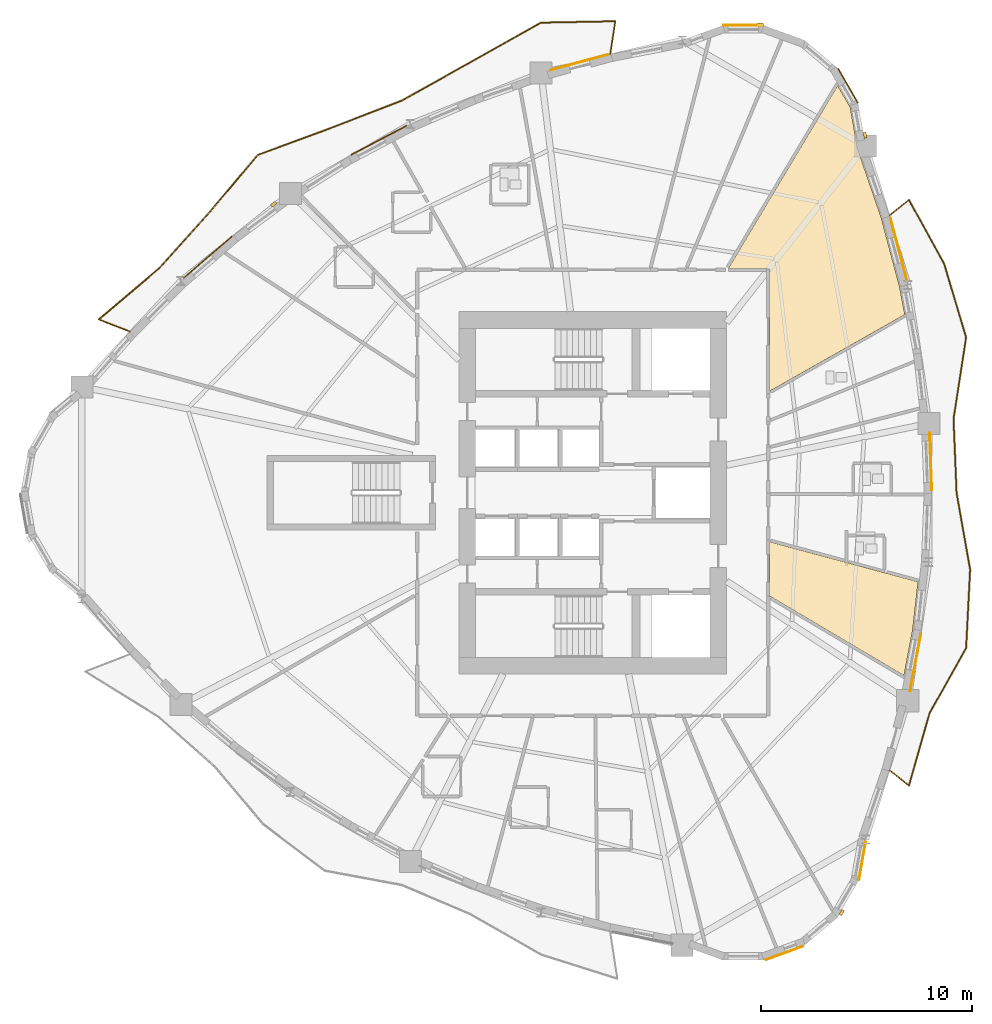
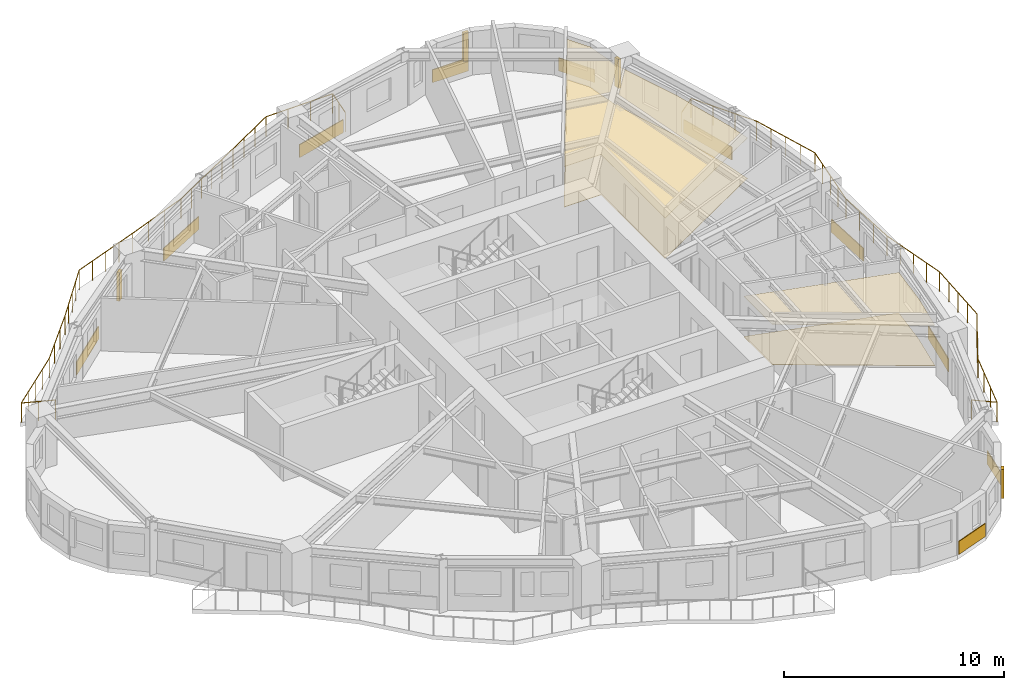
# One storey, part 12 of 13: 14 coverings, 4 shading devices, 2 railings.
"""IFC4 building model written with IfcOpenShell, lengths in metres."""

from ifc_helpers import new_model, si_unit, direction, frame, origin, origin_2d, place, context, subcontext, project, spatial, polyline, rectangle, circle, outline, extrude, source, transform, mapped, material, layer, layer_set, type_object, element, save


model = new_model("IFC4")

# Units and contexts
model_context = context("Model", 3, precision=1e-05, world=origin(), true_north=direction((0.0, 1.0)))
body_context = subcontext(model_context, "Body", "Model", "MODEL_VIEW")
ifc_project = project(units=[si_unit("LENGTHUNIT", "METRE"), si_unit("AREAUNIT", "SQUARE_METRE"), si_unit("VOLUMEUNIT", "CUBIC_METRE"), si_unit("PLANEANGLEUNIT", "RADIAN"), si_unit("MASSUNIT", "GRAM", prefix="KILO")], contexts=[model_context])

# Site, building, storey
site_placement = place(None, origin())
site = spatial("IfcSite", under=ifc_project, at=site_placement, CompositionType="ELEMENT")
building_placement = place(site_placement, origin())
building = spatial("IfcBuilding", under=site, at=building_placement, Name="Qafzar Sky-Pleat Residences", CompositionType="ELEMENT")
storey_placement = place(building_placement, frame((0.0, 0.0, 52.60009765625)))
storey = spatial("IfcBuildingStorey", under=building, at=storey_placement, Name="L15", CompositionType="ELEMENT", Elevation=52.60009765625)

# Coverings
ifc_material_1 = material(Name="Perforated acoustic gypsum board ceiling")
ifc_layer_1 = layer(ifc_material_1, 0.02001953125)
ifc_layer_set_1 = layer_set([ifc_layer_1], Name="Perforated acoustic gypsum board ceiling")
covering_type_1 = type_object("IfcCoveringType", Name="COV-CEIL-ACOUSTIC", PredefinedType="CEILING", material=ifc_layer_set_1)
covering_1_placement = place(storey_placement, frame((0.0, 0.0, 2.239990234375)))
element("IfcCovering", 1, at=covering_1_placement, inside=storey, type_object=covering_type_1, Name="L15 Communal Kitchen Acoustic Ceiling", PredefinedType="CEILING", context=body_context, shape_type="SweptSolid", body=[
    extrude(outline(polyline([(45.517578125, 19.485107421875), (45.10888671875, 17.3330078125), (38.739990234375, 21.10302734375), (38.739990234375, 23.67626953125), (45.779052734375, 21.77880859375), (45.517578125, 19.485107421875)])), origin(), (0.0, 0.0, 1.0), 0.02001953125),
])
covering_2_placement = place(storey_placement, frame((0.0, 0.0, 2.239990234375)))
element("IfcCovering", 2, at=covering_2_placement, inside=storey, type_object=covering_type_1, Name="L15 Co-Living Lounge Acoustic Ceiling", PredefinedType="CEILING", context=body_context, shape_type="SweptSolid", body=[
    extrude(outline(polyline([(42.55859375, 44.281982421875), (42.901611328125, 42.337158203125), (44.031494140625, 39.033447265625), (44.8984375, 35.7734375), (45.14990234375, 34.449951171875), (38.739990234375, 30.820068359375), (38.739990234375, 36.639892578125), (36.781982421875, 36.639892578125), (41.965576171875, 45.30908203125), (42.55859375, 44.281982421875)])), origin(), (0.0, 0.0, 1.0), 0.02001953125),
])
ifc_material_2 = material(Name="Honed porcelain and Riyadh stone tile flooring", Category="masonry")
ifc_layer_2 = layer(ifc_material_2, 0.02001953125)
ifc_layer_set_2 = layer_set([ifc_layer_2], Name="Honed porcelain and Riyadh stone tile flooring")
covering_type_2 = type_object("IfcCoveringType", Name="COV-FLR-PORCELAIN", PredefinedType="FLOORING", material=ifc_layer_set_2)
covering_3_placement = place(storey_placement, origin())
element("IfcCovering", 3, at=covering_3_placement, inside=storey, type_object=covering_type_2, Name="L15 Communal Kitchen Honed Stone Flooring", PredefinedType="FLOORING", context=body_context, shape_type="SweptSolid", body=[
    extrude(outline(polyline([(45.517578125, 19.485107421875), (45.10888671875, 17.3330078125), (38.739990234375, 21.10302734375), (38.739990234375, 23.67626953125), (45.779052734375, 21.77880859375), (45.517578125, 19.485107421875)])), origin(), (0.0, 0.0, 1.0), 0.02001953125),
])
covering_4_placement = place(storey_placement, origin())
element("IfcCovering", 4, at=covering_4_placement, inside=storey, type_object=covering_type_2, Name="L15 Co-Living Lounge Honed Stone Flooring", PredefinedType="FLOORING", context=body_context, shape_type="SweptSolid", body=[
    extrude(outline(polyline([(42.55859375, 44.281982421875), (42.901611328125, 42.337158203125), (44.031494140625, 39.033447265625), (44.8984375, 35.7734375), (45.14990234375, 34.449951171875), (38.739990234375, 30.820068359375), (38.739990234375, 36.639892578125), (36.781982421875, 36.639892578125), (41.965576171875, 45.30908203125), (42.55859375, 44.281982421875)])), origin(), (0.0, 0.0, 1.0), 0.02001953125),
])

# Shading devices
ifc_material_3 = material(Name="Honed Riyadh limestone solar fin", Category="masonry")
ifc_layer_3 = layer(ifc_material_3, 0.139892578125)
ifc_layer_set_3 = layer_set([ifc_layer_3], Name="Honed Riyadh limestone solar fin")
shading_device_type = type_object("IfcShadingDeviceType", Name="SHD-FIN-STONE", PredefinedType="SHUTTER", material=ifc_layer_set_3)
shared_shape_1 = source(origin(), body_context, "Body", "SweptSolid", [
    extrude(rectangle(XDim=0.139892578125, YDim=0.280029296875, at=origin_2d()), origin(), (0.0, 0.0, 1.0), 1.60009765625),
])
for number, where, z_axis, x_axis, name in (
    (5, (42.15576171875, 6.090576171875, 0.599853515625), (0.0, 0.0, 1.0), (0.86603181203, -0.499988900429, 0.0), "L15 Limestone Solar Fin 21"),
    (6, (43.264404296875, 42.956787109375, 0.599853515625), (0.0, 0.0, 1.0), (0.984806040716, 0.173657888303, 0.0), "L15 Limestone Solar Fin 33"),
    (7, (38.294921875, 48.214111328125, 0.599853515625), (0.0, 0.0, 1.0), (0.0, 1.0, 0.0), "L15 Limestone Solar Fin 37"),
    (8, (15.216064453125, 39.688232421875, 0.599853515625), (0.0, 0.0, 1.0), (-0.594881281603, 0.80381357341, 0.0), "L15 Limestone Solar Fin 45"),
):
    element("IfcShadingDevice", number, at=place(storey_placement, frame(where, z_axis=z_axis, x_axis=x_axis)), inside=storey, type_object=shading_device_type, Name=name, PredefinedType="SHUTTER", context=body_context, shape_type="MappedRepresentation", body=[
        mapped(shared_shape_1, transform((0.0, 0.0, 0.0), x_axis=(1.0, 0.0, 0.0), y_axis=(0.0, 1.0, 0.0), z_axis=(0.0, 0.0, 1.0), scale=1.0)),
    ])

# Coverings
ifc_material_4 = material(Name="Honed Riyadh Tuwaiq limestone cladding", Category="masonry")
ifc_layer_4 = layer(ifc_material_4, 0.044921875)
ifc_layer_set_4 = layer_set([ifc_layer_4], Name="Honed Riyadh Tuwaiq limestone cladding")
covering_type_3 = type_object("IfcCoveringType", Name="COV-CLAD-STONE", PredefinedType="CLADDING", material=ifc_layer_set_4)
shared_shape_2 = source(origin(), body_context, "Body", "SweptSolid", [
    extrude(rectangle(XDim=1.88134765625, YDim=0.044921875, at=origin_2d()), origin(), (0.0, 0.0, 1.0), 0.719970703125),
])
covering_5_placement = place(storey_placement, frame((37.489990234375, 48.1708984375, 0.02001953125), z_axis=(0.0, 0.0, 1.0), x_axis=(-1.0, 0.0, 0.0)))
element("IfcCovering", 9, at=covering_5_placement, inside=storey, type_object=covering_type_3, Name="L15 Riyadh Limestone Spandrel Cladding 37", PredefinedType="CLADDING", context=body_context, shape_type="MappedRepresentation", body=[
    mapped(shared_shape_2, transform((0.0, 0.0, 0.0), x_axis=(1.0, 0.0, 0.0), y_axis=(0.0, 1.0, 0.0), z_axis=(0.0, 0.0, 1.0), scale=1.0)),
])
shared_shape_3 = source(origin(), body_context, "Body", "SweptSolid", [
    extrude(rectangle(XDim=1.8291015625, YDim=0.044921875, at=origin_2d()), origin(), (0.0, 0.0, 1.0), 0.719970703125),
])
covering_6_placement = place(storey_placement, frame((43.1318359375, 8.53857421875, 0.02001953125), z_axis=(0.0, 0.0, 1.0), x_axis=(0.17364778674, 0.984807821943, 0.0)))
element("IfcCovering", 10, at=covering_6_placement, inside=storey, type_object=covering_type_3, Name="L15 Riyadh Limestone Spandrel Cladding 22", PredefinedType="CLADDING", context=body_context, shape_type="MappedRepresentation", body=[
    mapped(shared_shape_3, transform((0.0, 0.0, 0.0), x_axis=(1.0, 0.0, 0.0), y_axis=(0.0, 1.0, 0.0), z_axis=(0.0, 0.0, 1.0), scale=1.0)),
])
shared_shape_4 = source(origin(), body_context, "Body", "SweptSolid", [
    extrude(rectangle(XDim=1.881103515625, YDim=0.044921875, at=origin_2d()), origin(), (0.0, 0.0, 1.0), 0.719970703125),
])
for number, where, z_axis, x_axis, name in (
    (11, (39.451171875, 4.1748046875, 0.02001953125), (0.0, 0.0, 1.0), (0.939715179222, 0.34195815817, 0.0), "L15 Riyadh Limestone Spandrel Cladding 19"),
    (12, (42.455810546875, 45.30419921875, 0.02001953125), (0.0, 0.0, 1.0), (-0.499993018474, 0.866029434533, 0.0), "L15 Riyadh Limestone Spandrel Cladding 34"),
):
    element("IfcCovering", number, at=place(storey_placement, frame(where, z_axis=z_axis, x_axis=x_axis)), inside=storey, type_object=covering_type_3, Name=name, PredefinedType="CLADDING", context=body_context, shape_type="MappedRepresentation", body=[
        mapped(shared_shape_4, transform((0.0, 0.0, 0.0), x_axis=(1.0, 0.0, 0.0), y_axis=(0.0, 1.0, 0.0), z_axis=(0.0, 0.0, 1.0), scale=1.0)),
    ])

# Railings
ifc_material_5 = material(Name="Laminated glass and bronze steel balustrade", Category="steel")
railing_type = type_object("IfcRailingType", Name="RAIL-BAL-1100", PredefinedType="BALUSTRADE", material=ifc_material_5)
shared_shape_5 = source(origin(), body_context, "Body", "SweptSolid", [
    extrude(circle(Radius=0.02392578125, at=origin_2d()), frame((0.0, 0.0, 1.076171875), z_axis=(0.780444051674, -0.62522562504, 0.0), x_axis=(0.62522562504, 0.780444051674, 0.0)), (0.0, 0.0, 1.0), 1.177978515625),
    extrude(circle(Radius=0.02392578125, at=origin_2d()), frame((0.91943359375, -0.736572265625, 1.076171875), z_axis=(0.273711786975, 0.961811757919, 0.0), x_axis=(-0.961811757919, 0.273711786975, 0.0)), (0.0, 0.0, 1.0), 3.57861328125),
    extrude(circle(Radius=0.02392578125, at=origin_2d()), frame((1.89892578125, 2.705322265625, 1.076171875), z_axis=(0.489282926907, 0.872125115702, 0.0), x_axis=(-0.872125115702, 0.489282926907, 0.0)), (0.0, 0.0, 1.0), 3.543701171875),
    extrude(circle(Radius=0.02392578125, at=origin_2d()), frame((3.6328125, 5.7958984375, 1.076171875), z_axis=(0.051032139844, 0.998697011462, 0.0), x_axis=(-0.998697011462, 0.051032139844, 0.0)), (0.0, 0.0, 1.0), 3.726806640625),
    extrude(circle(Radius=0.02392578125, at=origin_2d()), frame((3.822998046875, 9.517822265625, 1.076171875), z_axis=(-0.174128247366, 0.984722983112, 0.0), x_axis=(-0.984722983112, -0.174128247366, 0.0)), (0.0, 0.0, 1.0), 3.69580078125),
    extrude(circle(Radius=0.02392578125, at=origin_2d()), frame((3.179443359375, 13.1572265625, 1.076171875), z_axis=(-0.041073628986, 0.999156122436, 0.0), x_axis=(-0.999156122436, -0.041073628986, 0.0)), (0.0, 0.0, 1.0), 3.5009765625),
    extrude(circle(Radius=0.02392578125, at=origin_2d()), frame((3.03564453125, 16.6552734375, 1.076171875), z_axis=(0.152761100583, 0.988263146206, 0.0), x_axis=(-0.988263146206, 0.152761100583, 0.0)), (0.0, 0.0, 1.0), 3.9091796875),
    extrude(circle(Radius=0.02392578125, at=origin_2d()), frame((3.6328125, 20.5185546875, 1.076171875), z_axis=(-0.285568374009, 0.95835833787, 0.0), x_axis=(-0.95835833787, -0.285568374009, 0.0)), (0.0, 0.0, 1.0), 3.638671875),
    extrude(circle(Radius=0.02392578125, at=origin_2d()), frame((2.59375, 24.005615234375, 1.076171875), z_axis=(-0.481773119733, 0.876295989436, 0.0), x_axis=(-0.876295989436, -0.481773119733, 0.0)), (0.0, 0.0, 1.0), 3.475341796875),
    extrude(circle(Radius=0.02392578125, at=origin_2d()), frame((0.91943359375, 27.051025390625, 1.076171875), z_axis=(-0.780444051674, -0.62522562504, 0.0), x_axis=(0.62522562504, -0.780444051674, 0.0)), (0.0, 0.0, 1.0), 1.177978515625),
    extrude(circle(Radius=0.02099609375, at=origin_2d()), origin(), (0.0, 0.0, 1.0), 1.052001953125),
    extrude(circle(Radius=0.02099609375, at=origin_2d()), frame((0.91943359375, -0.736572265625, 0.0)), (0.0, 0.0, 1.0), 1.052001953125),
    extrude(circle(Radius=0.02099609375, at=origin_2d()), frame((1.245849609375, 0.41064453125, 0.0)), (0.0, 0.0, 1.0), 1.052001953125),
    extrude(circle(Radius=0.02099609375, at=origin_2d()), frame((1.572509765625, 1.55810546875, 0.0)), (0.0, 0.0, 1.0), 1.052001953125),
    extrude(circle(Radius=0.02099609375, at=origin_2d()), frame((1.89892578125, 2.705322265625, 0.0)), (0.0, 0.0, 1.0), 1.052001953125),
    extrude(circle(Radius=0.02099609375, at=origin_2d()), frame((2.476806640625, 3.735595703125, 0.0)), (0.0, 0.0, 1.0), 1.052001953125),
    extrude(circle(Radius=0.02099609375, at=origin_2d()), frame((3.054931640625, 4.765625, 0.0)), (0.0, 0.0, 1.0), 1.052001953125),
    extrude(circle(Radius=0.02099609375, at=origin_2d()), frame((3.6328125, 5.7958984375, 0.0)), (0.0, 0.0, 1.0), 1.052001953125),
    extrude(circle(Radius=0.02099609375, at=origin_2d()), frame((3.680419921875, 6.726318359375, 0.0)), (0.0, 0.0, 1.0), 1.052001953125),
    extrude(circle(Radius=0.02099609375, at=origin_2d()), frame((3.72802734375, 7.65673828125, 0.0)), (0.0, 0.0, 1.0), 1.052001953125),
    extrude(circle(Radius=0.02099609375, at=origin_2d()), frame((3.775390625, 8.58740234375, 0.0)), (0.0, 0.0, 1.0), 1.052001953125),
    extrude(circle(Radius=0.02099609375, at=origin_2d()), frame((3.822998046875, 9.517822265625, 0.0)), (0.0, 0.0, 1.0), 1.052001953125),
    extrude(circle(Radius=0.02099609375, at=origin_2d()), frame((3.662109375, 10.427734375, 0.0)), (0.0, 0.0, 1.0), 1.052001953125),
    extrude(circle(Radius=0.02099609375, at=origin_2d()), frame((3.501220703125, 11.33740234375, 0.0)), (0.0, 0.0, 1.0), 1.052001953125),
    extrude(circle(Radius=0.02099609375, at=origin_2d()), frame((3.34033203125, 12.247314453125, 0.0)), (0.0, 0.0, 1.0), 1.052001953125),
    extrude(circle(Radius=0.02099609375, at=origin_2d()), frame((3.179443359375, 13.1572265625, 0.0)), (0.0, 0.0, 1.0), 1.052001953125),
    extrude(circle(Radius=0.02099609375, at=origin_2d()), frame((3.131591796875, 14.3232421875, 0.0)), (0.0, 0.0, 1.0), 1.052001953125),
    extrude(circle(Radius=0.02099609375, at=origin_2d()), frame((3.08349609375, 15.4892578125, 0.0)), (0.0, 0.0, 1.0), 1.052001953125),
    extrude(circle(Radius=0.02099609375, at=origin_2d()), frame((3.03564453125, 16.6552734375, 0.0)), (0.0, 0.0, 1.0), 1.052001953125),
    extrude(circle(Radius=0.02099609375, at=origin_2d()), frame((3.18505859375, 17.62109375, 0.0)), (0.0, 0.0, 1.0), 1.052001953125),
    extrude(circle(Radius=0.02099609375, at=origin_2d()), frame((3.334228515625, 18.5869140625, 0.0)), (0.0, 0.0, 1.0), 1.052001953125),
    extrude(circle(Radius=0.02099609375, at=origin_2d()), frame((3.4833984375, 19.552734375, 0.0)), (0.0, 0.0, 1.0), 1.052001953125),
    extrude(circle(Radius=0.02099609375, at=origin_2d()), frame((3.6328125, 20.5185546875, 0.0)), (0.0, 0.0, 1.0), 1.052001953125),
    extrude(circle(Radius=0.02099609375, at=origin_2d()), frame((3.373046875, 21.390380859375, 0.0)), (0.0, 0.0, 1.0), 1.052001953125),
    extrude(circle(Radius=0.02099609375, at=origin_2d()), frame((3.11328125, 22.26220703125, 0.0)), (0.0, 0.0, 1.0), 1.052001953125),
    extrude(circle(Radius=0.02099609375, at=origin_2d()), frame((2.853515625, 23.1337890625, 0.0)), (0.0, 0.0, 1.0), 1.052001953125),
    extrude(circle(Radius=0.02099609375, at=origin_2d()), frame((2.59375, 24.005615234375, 0.0)), (0.0, 0.0, 1.0), 1.052001953125),
    extrude(circle(Radius=0.02099609375, at=origin_2d()), frame((2.03564453125, 25.020751953125, 0.0)), (0.0, 0.0, 1.0), 1.052001953125),
    extrude(circle(Radius=0.02099609375, at=origin_2d()), frame((1.4775390625, 26.035888671875, 0.0)), (0.0, 0.0, 1.0), 1.052001953125),
    extrude(circle(Radius=0.02099609375, at=origin_2d()), frame((0.91943359375, 27.051025390625, 0.0)), (0.0, 0.0, 1.0), 1.052001953125),
    extrude(circle(Radius=0.02099609375, at=origin_2d()), frame((0.0, 26.314453125, 0.0)), (0.0, 0.0, 1.0), 1.052001953125),
])
railing_1_placement = place(storey_placement, frame((44.423583984375, 12.8427734375, 0.0)))
element("IfcRailing", 13, at=railing_1_placement, inside=storey, type_object=railing_type, Name="L15 Pleated Balcony 1 Balustrade", PredefinedType="BALUSTRADE", context=body_context, shape_type="MappedRepresentation", body=[
    mapped(shared_shape_5, transform((0.0, 0.0, 0.0), x_axis=(1.0, 0.0, 0.0), y_axis=(0.0, 1.0, 0.0), z_axis=(0.0, 0.0, 1.0), scale=1.0)),
])
shared_shape_6 = source(origin(), body_context, "Body", "SweptSolid", [
    extrude(circle(Radius=0.02392578125, at=origin_2d()), frame((0.0, 0.0, 1.076171875), z_axis=(0.151161889621, 0.988509020255, 0.0), x_axis=(-0.988509020255, 0.151161889621, 0.0)), (0.0, 0.0, 1.0), 1.577880859375),
    extrude(circle(Radius=0.02392578125, at=origin_2d()), frame((0.238525390625, 1.559814453125, 1.076171875), z_axis=(-0.999814603854, -0.019255075204, 0.0), x_axis=(0.019255075204, -0.999814603854, 0.0)), (0.0, 0.0, 1.0), 3.53759765625),
    extrude(circle(Radius=0.02392578125, at=origin_2d()), frame((-3.29833984375, 1.49169921875, 1.076171875), z_axis=(-0.871221394465, -0.490890295103, 0.0), x_axis=(0.490890295103, -0.871221394465, 0.0)), (0.0, 0.0, 1.0), 3.924072265625),
    extrude(circle(Radius=0.02392578125, at=origin_2d()), frame((-6.717041015625, -0.4345703125, 1.076171875), z_axis=(-0.873310982182, -0.487163143515, 0.0), x_axis=(0.487163143515, -0.873310982182, 0.0)), (0.0, 0.0, 1.0), 3.625244140625),
    extrude(circle(Radius=0.02392578125, at=origin_2d()), frame((-9.883056640625, -2.20068359375, 1.076171875), z_axis=(-0.932520155536, -0.361117930211, 0.0), x_axis=(0.361117930211, -0.932520155536, 0.0)), (0.0, 0.0, 1.0), 3.539794921875),
    extrude(circle(Radius=0.02392578125, at=origin_2d()), frame((-13.18408203125, -3.47900390625, 1.076171875), z_axis=(-0.93819466472, -0.346108033843, 0.0), x_axis=(0.346108033843, -0.93819466472, 0.0)), (0.0, 0.0, 1.0), 3.7646484375),
    extrude(circle(Radius=0.02392578125, at=origin_2d()), frame((-16.716064453125, -4.781982421875, 1.076171875), z_axis=(-0.64428490809, -0.764785562892, 0.0), x_axis=(0.764785562892, -0.64428490809, 0.0)), (0.0, 0.0, 1.0), 3.628662109375),
    extrude(circle(Radius=0.02392578125, at=origin_2d()), frame((-19.053955078125, -7.55712890625, 1.076171875), z_axis=(-0.668745122313, -0.743491735921, 0.0), x_axis=(0.743491735921, -0.668745122313, 0.0)), (0.0, 0.0, 1.0), 3.50146484375),
    extrude(circle(Radius=0.02392578125, at=origin_2d()), frame((-21.3955078125, -10.160400390625, 1.076171875), z_axis=(-0.763334446989, -0.646003500022, 0.0), x_axis=(0.646003500022, -0.763334446989, 0.0)), (0.0, 0.0, 1.0), 3.751708984375),
    extrude(circle(Radius=0.02392578125, at=origin_2d()), frame((-24.25927734375, -12.583984375, 1.076171875), z_axis=(0.931684927862, -0.363267388014, 0.0), x_axis=(0.363267388014, 0.931684927862, 0.0)), (0.0, 0.0, 1.0), 1.578125),
    extrude(circle(Radius=0.02099609375, at=origin_2d()), origin(), (0.0, 0.0, 1.0), 1.052001953125),
    extrude(circle(Radius=0.02099609375, at=origin_2d()), frame((0.119140625, 0.77978515625, 0.0)), (0.0, 0.0, 1.0), 1.052001953125),
    extrude(circle(Radius=0.02099609375, at=origin_2d()), frame((0.238525390625, 1.559814453125, 0.0)), (0.0, 0.0, 1.0), 1.052001953125),
    extrude(circle(Radius=0.02099609375, at=origin_2d()), frame((-0.9404296875, 1.537109375, 0.0)), (0.0, 0.0, 1.0), 1.052001953125),
    extrude(circle(Radius=0.02099609375, at=origin_2d()), frame((-2.119384765625, 1.514404296875, 0.0)), (0.0, 0.0, 1.0), 1.052001953125),
    extrude(circle(Radius=0.02099609375, at=origin_2d()), frame((-3.29833984375, 1.49169921875, 0.0)), (0.0, 0.0, 1.0), 1.052001953125),
    extrude(circle(Radius=0.02099609375, at=origin_2d()), frame((-4.153076171875, 1.01025390625, 0.0)), (0.0, 0.0, 1.0), 1.052001953125),
    extrude(circle(Radius=0.02099609375, at=origin_2d()), frame((-5.0078125, 0.528564453125, 0.0)), (0.0, 0.0, 1.0), 1.052001953125),
    extrude(circle(Radius=0.02099609375, at=origin_2d()), frame((-5.8623046875, 0.046875, 0.0)), (0.0, 0.0, 1.0), 1.052001953125),
    extrude(circle(Radius=0.02099609375, at=origin_2d()), frame((-6.717041015625, -0.4345703125, 0.0)), (0.0, 0.0, 1.0), 1.052001953125),
    extrude(circle(Radius=0.02099609375, at=origin_2d()), frame((-7.508544921875, -0.8759765625, 0.0)), (0.0, 0.0, 1.0), 1.052001953125),
    extrude(circle(Radius=0.02099609375, at=origin_2d()), frame((-8.300048828125, -1.317626953125, 0.0)), (0.0, 0.0, 1.0), 1.052001953125),
    extrude(circle(Radius=0.02099609375, at=origin_2d()), frame((-9.091552734375, -1.75927734375, 0.0)), (0.0, 0.0, 1.0), 1.052001953125),
    extrude(circle(Radius=0.02099609375, at=origin_2d()), frame((-9.883056640625, -2.20068359375, 0.0)), (0.0, 0.0, 1.0), 1.052001953125),
    extrude(circle(Radius=0.02099609375, at=origin_2d()), frame((-10.9833984375, -2.626708984375, 0.0)), (0.0, 0.0, 1.0), 1.052001953125),
    extrude(circle(Radius=0.02099609375, at=origin_2d()), frame((-12.083740234375, -3.052978515625, 0.0)), (0.0, 0.0, 1.0), 1.052001953125),
    extrude(circle(Radius=0.02099609375, at=origin_2d()), frame((-13.18408203125, -3.47900390625, 0.0)), (0.0, 0.0, 1.0), 1.052001953125),
    extrude(circle(Radius=0.02099609375, at=origin_2d()), frame((-14.067138671875, -3.8046875, 0.0)), (0.0, 0.0, 1.0), 1.052001953125),
    extrude(circle(Radius=0.02099609375, at=origin_2d()), frame((-14.9501953125, -4.13037109375, 0.0)), (0.0, 0.0, 1.0), 1.052001953125),
    extrude(circle(Radius=0.02099609375, at=origin_2d()), frame((-15.8330078125, -4.456298828125, 0.0)), (0.0, 0.0, 1.0), 1.052001953125),
    extrude(circle(Radius=0.02099609375, at=origin_2d()), frame((-16.716064453125, -4.781982421875, 0.0)), (0.0, 0.0, 1.0), 1.052001953125),
    extrude(circle(Radius=0.02099609375, at=origin_2d()), frame((-17.300537109375, -5.475830078125, 0.0)), (0.0, 0.0, 1.0), 1.052001953125),
    extrude(circle(Radius=0.02099609375, at=origin_2d()), frame((-17.885009765625, -6.16943359375, 0.0)), (0.0, 0.0, 1.0), 1.052001953125),
    extrude(circle(Radius=0.02099609375, at=origin_2d()), frame((-18.469482421875, -6.86328125, 0.0)), (0.0, 0.0, 1.0), 1.052001953125),
    extrude(circle(Radius=0.02099609375, at=origin_2d()), frame((-19.053955078125, -7.55712890625, 0.0)), (0.0, 0.0, 1.0), 1.052001953125),
    extrude(circle(Radius=0.02099609375, at=origin_2d()), frame((-19.83447265625, -8.4248046875, 0.0)), (0.0, 0.0, 1.0), 1.052001953125),
    extrude(circle(Radius=0.02099609375, at=origin_2d()), frame((-20.614990234375, -9.292724609375, 0.0)), (0.0, 0.0, 1.0), 1.052001953125),
    extrude(circle(Radius=0.02099609375, at=origin_2d()), frame((-21.3955078125, -10.160400390625, 0.0)), (0.0, 0.0, 1.0), 1.052001953125),
    extrude(circle(Radius=0.02099609375, at=origin_2d()), frame((-22.111328125, -10.766357421875, 0.0)), (0.0, 0.0, 1.0), 1.052001953125),
    extrude(circle(Radius=0.02099609375, at=origin_2d()), frame((-22.827392578125, -11.3720703125, 0.0)), (0.0, 0.0, 1.0), 1.052001953125),
    extrude(circle(Radius=0.02099609375, at=origin_2d()), frame((-23.54345703125, -11.97802734375, 0.0)), (0.0, 0.0, 1.0), 1.052001953125),
    extrude(circle(Radius=0.02099609375, at=origin_2d()), frame((-24.25927734375, -12.583984375, 0.0)), (0.0, 0.0, 1.0), 1.052001953125),
    extrude(circle(Radius=0.02099609375, at=origin_2d()), frame((-23.524169921875, -12.87060546875, 0.0)), (0.0, 0.0, 1.0), 1.052001953125),
    extrude(circle(Radius=0.02099609375, at=origin_2d()), frame((-22.7890625, -13.1572265625, 0.0)), (0.0, 0.0, 1.0), 1.052001953125),
])
railing_2_placement = place(storey_placement, frame((31.1826171875, 46.802001953125, 0.0)))
element("IfcRailing", 14, at=railing_2_placement, inside=storey, type_object=railing_type, Name="L15 Pleated Balcony 2 Balustrade", PredefinedType="BALUSTRADE", context=body_context, shape_type="MappedRepresentation", body=[
    mapped(shared_shape_6, transform((0.0, 0.0, 0.0), x_axis=(1.0, 0.0, 0.0), y_axis=(0.0, 1.0, 0.0), z_axis=(0.0, 0.0, 1.0), scale=1.0)),
])

# Coverings
shared_shape_7 = source(origin(), body_context, "Body", "SweptSolid", [
    extrude(rectangle(XDim=2.77587890625, YDim=0.044921875, at=origin_2d()), origin(), (0.0, 0.0, 1.0), 0.719970703125),
])
covering_7_placement = place(storey_placement, frame((45.654296875, 17.943359375, 0.02001953125), z_axis=(0.0, 0.0, 1.0), x_axis=(0.186660645817, 0.982424451703, 0.0)))
element("IfcCovering", 15, at=covering_7_placement, inside=storey, type_object=covering_type_3, Name="L15 Riyadh Limestone Spandrel Cladding 25", PredefinedType="CLADDING", context=body_context, shape_type="MappedRepresentation", body=[
    mapped(shared_shape_7, transform((0.0, 0.0, 0.0), x_axis=(1.0, 0.0, 0.0), y_axis=(0.0, 1.0, 0.0), z_axis=(0.0, 0.0, 1.0), scale=1.0)),
])
shared_shape_8 = source(origin(), body_context, "Body", "SweptSolid", [
    extrude(rectangle(XDim=2.72509765625, YDim=0.044921875, at=origin_2d()), origin(), (0.0, 0.0, 1.0), 0.719970703125),
])
covering_8_placement = place(storey_placement, frame((46.37890625, 27.4755859375, 0.02001953125), z_axis=(0.0, 0.0, 1.0), x_axis=(-0.038014543919, 0.999277185995, 0.0)))
element("IfcCovering", 16, at=covering_8_placement, inside=storey, type_object=covering_type_3, Name="L15 Riyadh Limestone Spandrel Cladding 28", PredefinedType="CLADDING", context=body_context, shape_type="MappedRepresentation", body=[
    mapped(shared_shape_8, transform((0.0, 0.0, 0.0), x_axis=(1.0, 0.0, 0.0), y_axis=(0.0, 1.0, 0.0), z_axis=(0.0, 0.0, 1.0), scale=1.0)),
])
shared_shape_9 = source(origin(), body_context, "Body", "SweptSolid", [
    extrude(rectangle(XDim=3.077880859375, YDim=0.044921875, at=origin_2d()), origin(), (0.0, 0.0, 1.0), 0.719970703125),
])
covering_9_placement = place(storey_placement, frame((44.865234375, 37.53955078125, 0.02001953125), z_axis=(0.0, 0.0, 1.0), x_axis=(-0.257067445738, 0.966393464559, 0.0)))
element("IfcCovering", 17, at=covering_9_placement, inside=storey, type_object=covering_type_3, Name="L15 Riyadh Limestone Spandrel Cladding 31", PredefinedType="CLADDING", context=body_context, shape_type="MappedRepresentation", body=[
    mapped(shared_shape_9, transform((0.0, 0.0, 0.0), x_axis=(1.0, 0.0, 0.0), y_axis=(0.0, 1.0, 0.0), z_axis=(0.0, 0.0, 1.0), scale=1.0)),
])
shared_shape_10 = source(origin(), body_context, "Body", "SweptSolid", [
    extrude(rectangle(XDim=2.82568359375, YDim=0.044921875, at=origin_2d()), origin(), (0.0, 0.0, 1.0), 0.719970703125),
])
covering_10_placement = place(storey_placement, frame((29.696044921875, 46.412109375, 0.02001953125), z_axis=(0.0, 0.0, 1.0), x_axis=(-0.965457209918, -0.260561654542, 0.0)))
element("IfcCovering", 18, at=covering_10_placement, inside=storey, type_object=covering_type_3, Name="L15 Riyadh Limestone Spandrel Cladding 40", PredefinedType="CLADDING", context=body_context, shape_type="MappedRepresentation", body=[
    mapped(shared_shape_10, transform((0.0, 0.0, 0.0), x_axis=(1.0, 0.0, 0.0), y_axis=(0.0, 1.0, 0.0), z_axis=(0.0, 0.0, 1.0), scale=1.0)),
])
shared_shape_11 = source(origin(), body_context, "Body", "SweptSolid", [
    extrude(rectangle(XDim=2.97705078125, YDim=0.044921875, at=origin_2d()), origin(), (0.0, 0.0, 1.0), 0.719970703125),
])
covering_11_placement = place(storey_placement, frame((20.21240234375, 42.719970703125, 0.02001953125), z_axis=(0.0, 0.0, 1.0), x_axis=(-0.884385792818, -0.466756649082, 0.0)))
element("IfcCovering", 19, at=covering_11_placement, inside=storey, type_object=covering_type_3, Name="L15 Riyadh Limestone Spandrel Cladding 43", PredefinedType="CLADDING", context=body_context, shape_type="MappedRepresentation", body=[
    mapped(shared_shape_11, transform((0.0, 0.0, 0.0), x_axis=(1.0, 0.0, 0.0), y_axis=(0.0, 1.0, 0.0), z_axis=(0.0, 0.0, 1.0), scale=1.0)),
])
shared_shape_12 = source(origin(), body_context, "Body", "SweptSolid", [
    extrude(rectangle(XDim=3.02783203125, YDim=0.044921875, at=origin_2d()), origin(), (0.0, 0.0, 1.0), 0.719970703125),
])
covering_12_placement = place(storey_placement, frame((12.089599609375, 37.169189453125, 0.02001953125), z_axis=(0.0, 0.0, 1.0), x_axis=(-0.757484979043, -0.652852591727, 0.0)))
element("IfcCovering", 20, at=covering_12_placement, inside=storey, type_object=covering_type_3, Name="L15 Riyadh Limestone Spandrel Cladding 46", PredefinedType="CLADDING", context=body_context, shape_type="MappedRepresentation", body=[
    mapped(shared_shape_12, transform((0.0, 0.0, 0.0), x_axis=(1.0, 0.0, 0.0), y_axis=(0.0, 1.0, 0.0), z_axis=(0.0, 0.0, 1.0), scale=1.0)),
])

save(model, "model.ifc")
